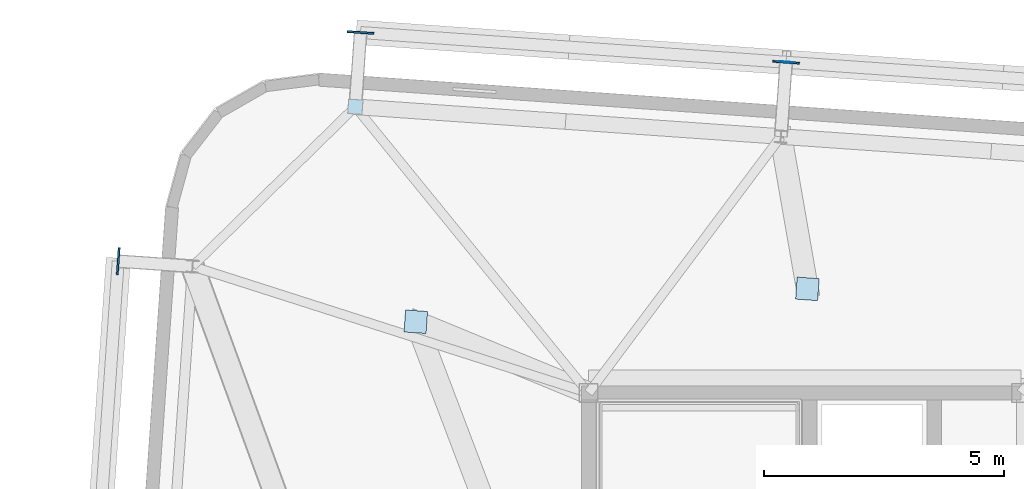
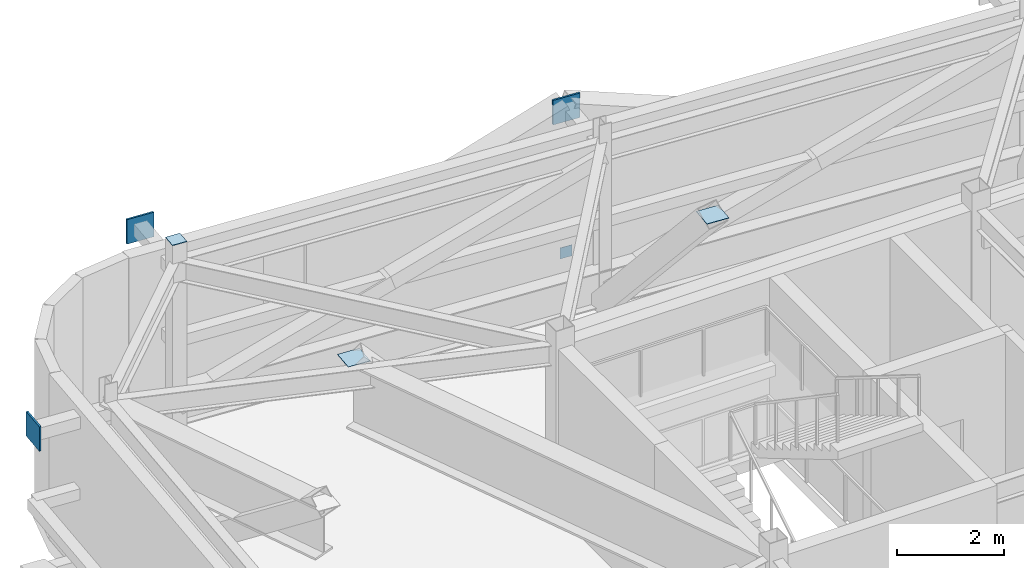
# One storey, part 18 of 24: 7 plates.
"""IFC4 building model written with IfcOpenShell, lengths in metres."""

from ifc_helpers import new_model, si_unit, direction, frame, origin, origin_2d, place, context, subcontext, project, spatial, rectangle, extrude, source, transform, mapped, material, layer, layer_set, type_object, element, save


model = new_model("IFC4")

# Units and contexts
model_context = context("Model", 3, precision=1e-05, world=origin(), true_north=direction((0.0, 1.0)))
body_context = subcontext(model_context, "Body", "Model", "MODEL_VIEW")
ifc_project = project(units=[si_unit("LENGTHUNIT", "METRE"), si_unit("AREAUNIT", "SQUARE_METRE"), si_unit("VOLUMEUNIT", "CUBIC_METRE"), si_unit("PLANEANGLEUNIT", "RADIAN"), si_unit("MASSUNIT", "GRAM", prefix="KILO")], contexts=[model_context])

# Site, building, storey
site_placement = place(None, origin())
site = spatial("IfcSite", under=ifc_project, at=site_placement, CompositionType="ELEMENT")
building_placement = place(site_placement, origin())
building = spatial("IfcBuilding", under=site, at=building_placement, Name="Taldren Reach Tower", CompositionType="ELEMENT")
storey_placement = place(building_placement, frame((0.0, 0.0, 164.5)))
storey = spatial("IfcBuildingStorey", under=building, at=storey_placement, Name="L50", CompositionType="ELEMENT", Elevation=164.5)

# Plates
ifc_material_1 = material(Name="Steel Gr 450 (C450L0)", Category="steel")
ifc_layer_1 = layer(ifc_material_1, 0.0400390625)
ifc_layer_set_1 = layer_set([ifc_layer_1], Name="Steel Gr 450 (C450L0)")
plate_type_1 = type_object("IfcPlateType", Name="PL-GUSSET-40", PredefinedType="SHEET", material=ifc_layer_set_1)
shared_shape_1 = source(origin(), body_context, "Body", "SweptSolid", [
    extrude(rectangle(XDim=0.56005859375, YDim=0.0400390625, at=origin_2d()), origin(), (0.0, 0.0, 1.0), 0.56005859375),
])
for number, where, z_axis, x_axis, name in (
    (1, (14.252685546875, 39.5048828125, 3.219970703125), (0.0, 0.0, 1.0), (0.99756405026, -0.069756473744, 0.0), "Exoskeleton star-node gusset plate B3-N1 L50"),
    (2, (23.111083984375, 38.885498046875, 3.219970703125), (0.0, 0.0, 1.0), (0.99756405026, -0.069756473744, 0.0), "Exoskeleton star-node gusset plate B3-N2 L50"),
    (3, (9.20849609375, 34.745361328125, 3.219970703125), (0.0, 0.0, 1.0), (0.069756473744, 0.99756405026, 0.0), "Exoskeleton star-node gusset plate B3-W3 L50"),
):
    element("IfcPlate", number, at=place(storey_placement, frame(where, z_axis=z_axis, x_axis=x_axis)), inside=storey, type_object=plate_type_1, Name=name, PredefinedType="SHEET", context=body_context, shape_type="MappedRepresentation", body=[
        mapped(shared_shape_1, transform((0.0, 0.0, 0.0), scale=1.0)),
    ])
ifc_material_2 = material(Name="Steel Gr 350 (C350L0)", Category="steel")
ifc_layer_2 = layer(ifc_material_2, 0.011962890625)
ifc_layer_set_2 = layer_set([ifc_layer_2], Name="Steel Gr 350 (C350L0)")
plate_type_2 = type_object("IfcPlateType", Name="PL-CAP-250", PredefinedType="SHEET", material=ifc_layer_set_2)
shared_shape_2 = source(origin(), body_context, "Body", "SweptSolid", [
    extrude(rectangle(XDim=0.25, YDim=0.011962890625, at=origin_2d()), origin(), (0.0, 0.0, 1.0), 0.25),
])
plate_1_placement = place(storey_placement, frame((23.111572265625, 38.8916015625, 0.094970703125), z_axis=(0.0, 0.0, 1.0), x_axis=(0.99756405026, -0.069756473744, 0.0)))
element("IfcPlate", 4, at=plate_1_placement, inside=storey, type_object=plate_type_2, Name="Tie strut end cap plate B3-N2 L50", PredefinedType="SHEET", context=body_context, shape_type="MappedRepresentation", body=[
    mapped(shared_shape_2, transform((0.0, 0.0, 0.0), scale=1.0)),
])
ifc_layer_3 = layer(ifc_material_1, 0.011962890625)
ifc_layer_set_3 = layer_set([ifc_layer_3], Name="Steel Gr 450 (C450L0)")
plate_type_3 = type_object("IfcPlateType", Name="PL-CAP-460", PredefinedType="SHEET", material=ifc_layer_set_3)
shared_shape_3 = source(origin(), body_context, "Body", "SweptSolid", [
    extrude(rectangle(XDim=0.4599609375, YDim=0.4599609375, at=origin_2d()), origin(), (0.0, 0.0, 1.0), 0.011962890625),
])
for number, where, z_axis, x_axis, name in (
    (5, (15.40380859375, 33.483642578125, 3.76806640625), (0.0, 0.0, 1.0), (0.99756405026, -0.069756473744, 0.0), "Transfer strut end cap plate TS-B4-N1 L50"),
    (6, (23.55517578125, 34.16796875, 3.76806640625), (0.0, 0.0, 1.0), (0.99756405026, -0.069756473744, 0.0), "Transfer strut end cap plate TS-B4-N2 L50"),
):
    element("IfcPlate", number, at=place(storey_placement, frame(where, z_axis=z_axis, x_axis=x_axis)), inside=storey, type_object=plate_type_3, Name=name, PredefinedType="SHEET", context=body_context, shape_type="MappedRepresentation", body=[
        mapped(shared_shape_3, transform((0.0, 0.0, 0.0), scale=1.0)),
    ])
ifc_layer_4 = layer(ifc_material_1, 0.011962890625)
ifc_layer_set_4 = layer_set([ifc_layer_4], Name="Steel Gr 450 (C450L0)")
plate_type_4 = type_object("IfcPlateType", Name="PL-CAP-300", PredefinedType="SHEET", material=ifc_layer_set_4)
shared_shape_4 = source(origin(), body_context, "Body", "SweptSolid", [
    extrude(rectangle(XDim=0.300048828125, YDim=0.300048828125, at=origin_2d()), origin(), (0.0, 0.0, 1.0), 0.011962890625),
])
plate_2_placement = place(storey_placement, frame((14.14453125, 37.958740234375, 4.2001953125), z_axis=(0.0, 0.0, 1.0), x_axis=(0.99756405026, -0.069756473744, 0.0)))
element("IfcPlate", 7, at=plate_2_placement, inside=storey, type_object=plate_type_4, Name="Perimeter column end cap plate B3-N1 L50", PredefinedType="SHEET", context=body_context, shape_type="MappedRepresentation", body=[
    mapped(shared_shape_4, transform((0.0, 0.0, 0.0), scale=1.0)),
])

save(model, "model.ifc")
